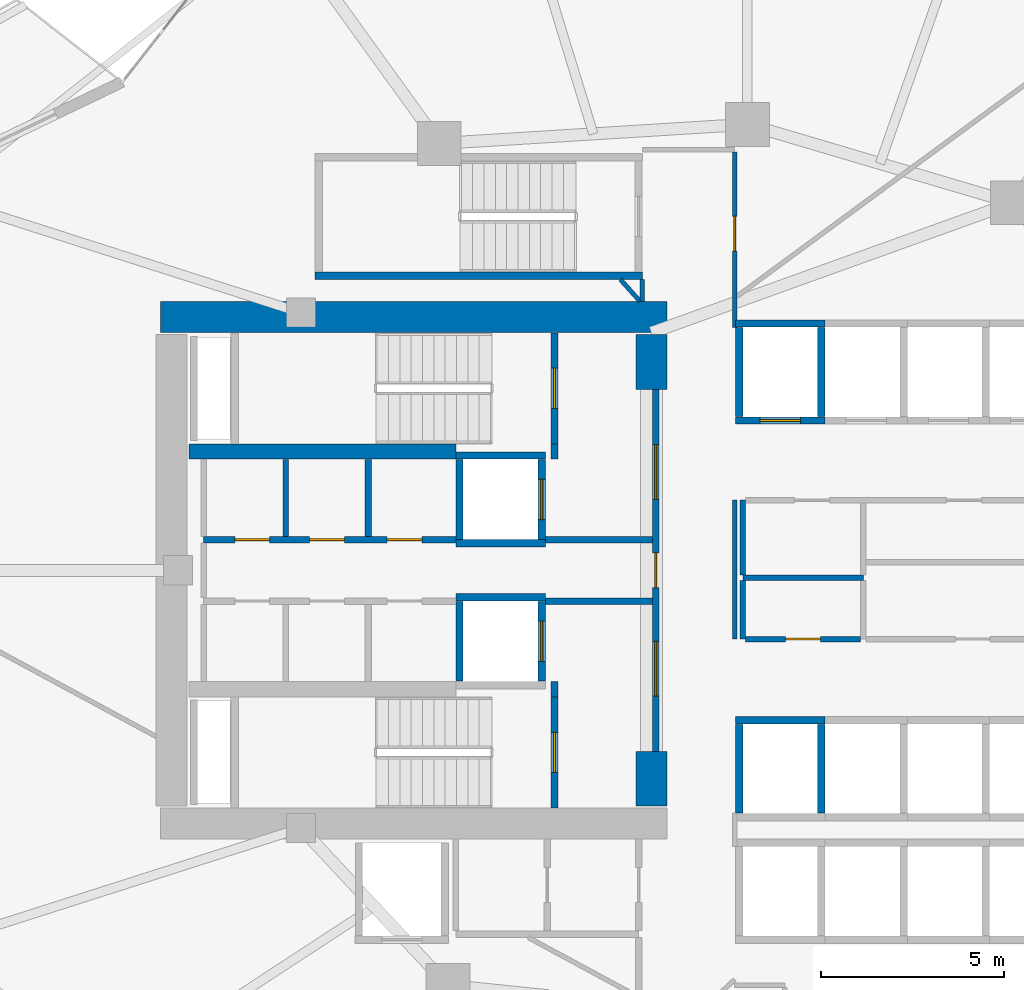
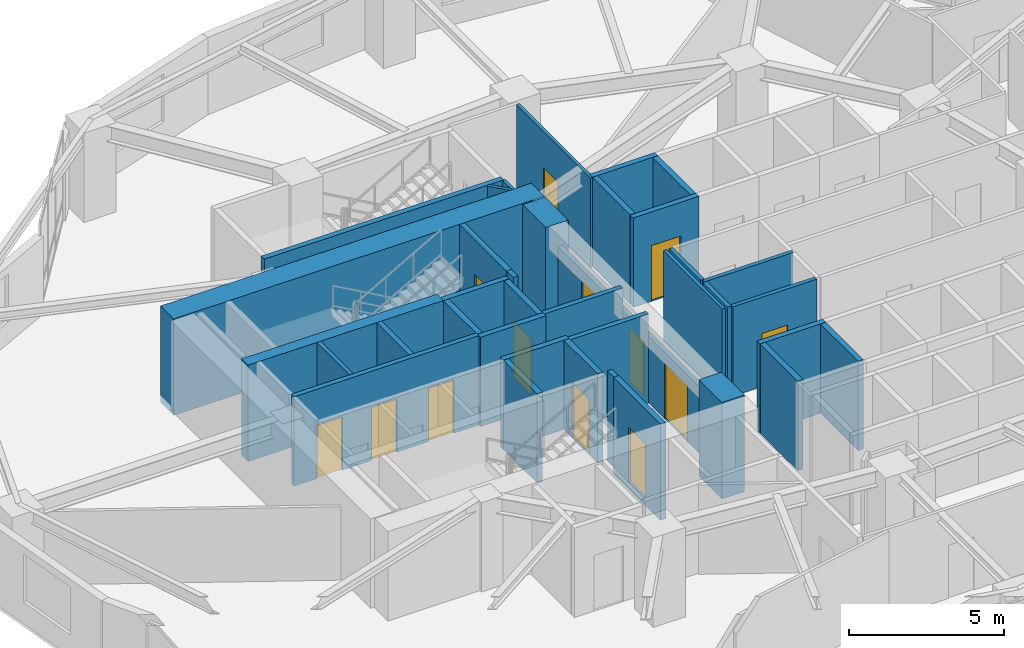
# One storey, part 6 of 12: 37 walls, 13 doors, 13 openings.
"""IFC4 building model written with IfcOpenShell, lengths in metres."""

from ifc_helpers import new_model, si_unit, direction, frame, frame_2d, origin, place, context, subcontext, project, spatial, rectangle, extrude, material, layer, layer_set, type_object, element, fill, save


model = new_model("IFC4")

# Units and contexts
model_context = context("Model", 3, precision=1e-05, world=origin(), true_north=direction((0.0, 1.0)))
body_context = subcontext(model_context, "Body", "Model", "MODEL_VIEW")
ifc_project = project(units=[si_unit("LENGTHUNIT", "METRE"), si_unit("AREAUNIT", "SQUARE_METRE"), si_unit("VOLUMEUNIT", "CUBIC_METRE"), si_unit("PLANEANGLEUNIT", "RADIAN"), si_unit("MASSUNIT", "GRAM", prefix="KILO")], contexts=[model_context])

# Site, building, storey
site_placement = place(None, origin())
site = spatial("IfcSite", under=ifc_project, at=site_placement, CompositionType="ELEMENT")
building_placement = place(site_placement, origin())
building = spatial("IfcBuilding", under=site, at=building_placement, Name="Kolvaren Gate Tower and Convention Centre", CompositionType="ELEMENT")
storey_placement = place(building_placement, frame((0.0, 0.0, 91.949951171875)))
storey = spatial("IfcBuildingStorey", under=building, at=storey_placement, Name="L22", CompositionType="ELEMENT", Elevation=91.949951171875)

# Walls
ifc_material_1 = material(Name="Autoclaved Aerated Masonry Blockwork Class 4 (4.0 MPa)", Category="masonry")
ifc_layer_1 = layer(ifc_material_1, 0.179931640625)
ifc_layer_set_1 = layer_set([ifc_layer_1], Name="Autoclaved Aerated Masonry Blockwork Class 4 (4.0 MPa)")
wall_type_1 = type_object("IfcWallType", Name="ARCH-WL-COMP-180", PredefinedType="SOLIDWALL", material=ifc_layer_set_1)
for number, where, z_axis, x_axis, name in (
    (1, (24.85009765625, 23.5400390625, 0.0), (0.0, 0.0, 1.0), (0.0, 1.0, 0.0), "Interior Partition WL-L22-INT-001"),
    (2, (24.85009765625, 30.0400390625, 0.0), (0.0, 0.0, 1.0), (0.0, 1.0, 0.0), "Interior Partition WL-L22-INT-002"),
):
    element("IfcWall", number, at=place(storey_placement, frame(where, z_axis=z_axis, x_axis=x_axis)), inside=storey, type_object=wall_type_1, Name=name, PredefinedType="SOLIDWALL", context=body_context, shape_type="SweptSolid", body=[
        extrude(rectangle(XDim=0.419921875, YDim=0.179931640625, at=frame_2d((0.2099609375, 0.0))), origin(), (0.0, 0.0, 1.0), 3.530029296875),
    ])

# Wall, openings, doors
wall_1_placement = place(storey_placement, frame((27.6201171875, 22.050048828125, 0.0), z_axis=(0.0, 0.0, 1.0), x_axis=(0.0, 1.0, 0.0)))
wall_1 = element("IfcWall", 3, at=wall_1_placement, inside=storey, type_object=wall_type_1, Name="Interior Partition WL-L22-INT-003", PredefinedType="SOLIDWALL", context=body_context, shape_type="SweptSolid", body=[
    extrude(rectangle(XDim=9.89990234375, YDim=0.179931640625, at=frame_2d((4.949951171875, 0.0))), origin(), (0.0, 0.0, 1.0), 2.6220703125),
])
opening_1_placement = place(wall_1_placement, frame((4.47509765625, 0.0, 0.0)))
opening_1 = element("IfcOpeningElement", 4, at=opening_1_placement, cuts=wall_1, Name="Opening DR-01", PredefinedType="OPENING", context=body_context, shape_type="SweptSolid", body=[
    extrude(rectangle(XDim=0.949951171875, YDim=2.10009765625, at=frame_2d((0.47509765625, 1.050048828125))), frame((0.0, 0.099853515625, 0.0), z_axis=(0.0, -1.0, 0.0), x_axis=(1.0, 0.0, 0.0)), (0.0, 0.0, 1.0), 0.199951171875),
])
opening_2_placement = place(wall_1_placement, frame((6.889892578125, 0.0, 0.0)))
opening_2 = element("IfcOpeningElement", 5, at=opening_2_placement, cuts=wall_1, Name="Opening DL-01", PredefinedType="OPENING", context=body_context, shape_type="SweptSolid", body=[
    extrude(rectangle(XDim=1.5, YDim=2.199951171875, at=frame_2d((0.75, 1.10009765625))), frame((0.0, 0.099853515625, 0.0), z_axis=(0.0, -1.0, 0.0), x_axis=(1.0, 0.0, 0.0)), (0.0, 0.0, 1.0), 0.199951171875),
])
opening_3_placement = place(wall_1_placement, frame((1.510009765625, 0.0, 0.0)))
opening_3 = element("IfcOpeningElement", 6, at=opening_3_placement, cuts=wall_1, Name="Opening DL-01", PredefinedType="OPENING", context=body_context, shape_type="SweptSolid", body=[
    extrude(rectangle(XDim=1.5, YDim=2.199951171875, at=frame_2d((0.75, 1.10009765625))), frame((0.0, 0.099853515625, 0.0), z_axis=(0.0, -1.0, 0.0), x_axis=(1.0, 0.0, 0.0)), (0.0, 0.0, 1.0), 0.199951171875),
])
ifc_material_2 = material(Name="Painted Architectural Steelwork ASTM A500 Grade C 345 MPa", Category="steel")
door_type_1 = type_object("IfcDoorType", Name="ARCH-DR-LOBBY-1500", OperationType="DOUBLE_DOOR_SINGLE_SWING", PredefinedType="DOOR", material=ifc_material_2)
door_1_placement = place(opening_2_placement, origin())
door_1 = element("IfcDoor", 7, at=door_1_placement, inside=storey, type_object=door_type_1, Name="North Firefighting Stair and Lift Lobby Door", OperationType="DOUBLE_DOOR_SINGLE_SWING", OverallHeight=2.199951171875, OverallWidth=1.5, PredefinedType="DOOR", context=body_context, shape_type="SweptSolid", body=[
    extrude(rectangle(XDim=1.5, YDim=2.199951171875, at=frame_2d((0.75, 1.10009765625))), frame((0.0, 0.02490234375, 0.0), z_axis=(0.0, -1.0, 0.0), x_axis=(1.0, 0.0, 0.0)), (0.0, 0.0, 1.0), 0.050048828125),
])
fill(opening_2, door_1)
door_2_placement = place(opening_3_placement, origin())
door_2 = element("IfcDoor", 8, at=door_2_placement, inside=storey, type_object=door_type_1, Name="South Firefighting Stair and Lift Lobby Door", OperationType="DOUBLE_DOOR_SINGLE_SWING", OverallHeight=2.199951171875, OverallWidth=1.5, PredefinedType="DOOR", context=body_context, shape_type="SweptSolid", body=[
    extrude(rectangle(XDim=1.5, YDim=2.199951171875, at=frame_2d((0.75, 1.10009765625))), frame((0.0, 0.02490234375, 0.0), z_axis=(0.0, -1.0, 0.0), x_axis=(1.0, 0.0, 0.0)), (0.0, 0.0, 1.0), 0.050048828125),
])
fill(opening_3, door_2)
door_type_2 = type_object("IfcDoorType", Name="ARCH-DR-RISER-950", OperationType="SINGLE_SWING_RIGHT", PredefinedType="DOOR", material=ifc_material_2)
door_3_placement = place(opening_1_placement, origin())
door_3 = element("IfcDoor", 9, at=door_3_placement, inside=storey, type_object=door_type_2, Name="Central MEP Service Corridor Door", OperationType="SINGLE_SWING_RIGHT", OverallHeight=2.10009765625, OverallWidth=0.949951171875, PredefinedType="DOOR", context=body_context, shape_type="SweptSolid", body=[
    extrude(rectangle(XDim=0.949951171875, YDim=2.10009765625, at=frame_2d((0.47509765625, 1.050048828125))), frame((0.0, 0.02490234375, 0.0), z_axis=(0.0, -1.0, 0.0), x_axis=(1.0, 0.0, 0.0)), (0.0, 0.0, 1.0), 0.050048828125),
])
fill(opening_1, door_3)

wall_2_placement = place(storey_placement, frame((15.25, 27.840087890625, 0.0), z_axis=(0.0, 0.0, 1.0), x_axis=(1.0, 0.0, 0.0)))
wall_2 = element("IfcWall", 10, at=wall_2_placement, inside=storey, type_object=wall_type_1, Name="Interior Partition WL-L22-INT-004", PredefinedType="SOLIDWALL", context=body_context, shape_type="SweptSolid", body=[
    extrude(rectangle(XDim=6.89990234375, YDim=0.179931640625, at=frame_2d((3.449951171875, 0.0))), origin(), (0.0, 0.0, 1.0), 3.530029296875),
])
opening_4_placement = place(wall_2_placement, frame((5.02001953125, 0.0, 0.0)))
opening_4 = element("IfcOpeningElement", 11, at=opening_4_placement, cuts=wall_2, Name="Opening DR-01", PredefinedType="OPENING", context=body_context, shape_type="SweptSolid", body=[
    extrude(rectangle(XDim=0.949951171875, YDim=2.10009765625, at=frame_2d((0.47509765625, 1.050048828125))), frame((0.0, 0.099853515625, 0.0), z_axis=(0.0, -1.0, 0.0), x_axis=(1.0, 0.0, 0.0)), (0.0, 0.0, 1.0), 0.199951171875),
])
opening_5_placement = place(wall_2_placement, frame((0.85498046875, 0.0, 0.0)))
opening_5 = element("IfcOpeningElement", 12, at=opening_5_placement, cuts=wall_2, Name="Opening DR-01", PredefinedType="OPENING", context=body_context, shape_type="SweptSolid", body=[
    extrude(rectangle(XDim=0.949951171875, YDim=2.10009765625, at=frame_2d((0.47509765625, 1.050048828125))), frame((0.0, 0.099853515625, 0.0), z_axis=(0.0, -1.0, 0.0), x_axis=(1.0, 0.0, 0.0)), (0.0, 0.0, 1.0), 0.199951171875),
])
opening_6_placement = place(wall_2_placement, frame((2.89990234375, 0.0, 0.0)))
opening_6 = element("IfcOpeningElement", 13, at=opening_6_placement, cuts=wall_2, Name="Opening DR-01", PredefinedType="OPENING", context=body_context, shape_type="SweptSolid", body=[
    extrude(rectangle(XDim=0.949951171875, YDim=2.10009765625, at=frame_2d((0.47509765625, 1.050048828125))), frame((0.0, 0.099853515625, 0.0), z_axis=(0.0, -1.0, 0.0), x_axis=(1.0, 0.0, 0.0)), (0.0, 0.0, 1.0), 0.199951171875),
])
door_4_placement = place(opening_4_placement, origin())
door_4 = element("IfcDoor", 14, at=door_4_placement, inside=storey, type_object=door_type_2, Name="Electrical Switchgear Closet Door", OperationType="SINGLE_SWING_LEFT", OverallHeight=2.10009765625, OverallWidth=0.949951171875, PredefinedType="DOOR", context=body_context, shape_type="SweptSolid", body=[
    extrude(rectangle(XDim=0.949951171875, YDim=2.10009765625, at=frame_2d((0.47509765625, 1.050048828125))), frame((0.0, 0.02490234375, 0.0), z_axis=(0.0, -1.0, 0.0), x_axis=(1.0, 0.0, 0.0)), (0.0, 0.0, 1.0), 0.050048828125),
])
fill(opening_4, door_4)
door_5_placement = place(opening_5_placement, origin())
door_5 = element("IfcDoor", 15, at=door_5_placement, inside=storey, type_object=door_type_2, Name="Staff Accessible WC Door", OperationType="SINGLE_SWING_LEFT", OverallHeight=2.10009765625, OverallWidth=0.949951171875, PredefinedType="DOOR", context=body_context, shape_type="SweptSolid", body=[
    extrude(rectangle(XDim=0.949951171875, YDim=2.10009765625, at=frame_2d((0.47509765625, 1.050048828125))), frame((0.0, 0.02490234375, 0.0), z_axis=(0.0, -1.0, 0.0), x_axis=(1.0, 0.0, 0.0)), (0.0, 0.0, 1.0), 0.050048828125),
])
fill(opening_5, door_5)
door_6_placement = place(opening_6_placement, origin())
door_6 = element("IfcDoor", 16, at=door_6_placement, inside=storey, type_object=door_type_2, Name="Housekeeping Sink Closet Door", OperationType="SINGLE_SWING_RIGHT", OverallHeight=2.10009765625, OverallWidth=0.949951171875, PredefinedType="DOOR", context=body_context, shape_type="SweptSolid", body=[
    extrude(rectangle(XDim=0.949951171875, YDim=2.10009765625, at=frame_2d((0.47509765625, 1.050048828125))), frame((0.0, 0.02490234375, 0.0), z_axis=(0.0, -1.0, 0.0), x_axis=(1.0, 0.0, 0.0)), (0.0, 0.0, 1.0), 0.050048828125),
])
fill(opening_6, door_6)

# Walls
for number, where, z_axis, x_axis, name in (
    (17, (24.60009765625, 27.840087890625, 0.0), (0.0, 0.0, 1.0), (1.0, 0.0, 0.0), "Interior Partition WL-L22-INT-004 (2)"),
    (18, (24.60009765625, 26.159912109375, 0.0), (0.0, 0.0, 1.0), (1.0, 0.0, 0.0), "Interior Partition WL-L22-INT-005 (2)"),
):
    element("IfcWall", number, at=place(storey_placement, frame(where, z_axis=z_axis, x_axis=x_axis)), inside=storey, type_object=wall_type_1, Name=name, PredefinedType="SOLIDWALL", context=body_context, shape_type="SweptSolid", body=[
        extrude(rectangle(XDim=2.927978515625, YDim=0.179931640625, at=frame_2d((1.4638671875, 0.0))), origin(), (0.0, 0.0, 1.0), 3.530029296875),
    ])
wall_3_placement = place(storey_placement, frame((19.75, 27.931884765625, 0.0), z_axis=(0.0, 0.0, 1.0), x_axis=(0.0, 1.0, 0.0)))
element("IfcWall", 19, at=wall_3_placement, inside=storey, type_object=wall_type_1, Name="Interior Partition WL-L22-INT-008", PredefinedType="SOLIDWALL", context=body_context, shape_type="SweptSolid", body=[
    extrude(rectangle(XDim=2.106201171875, YDim=0.179931640625, at=frame_2d((1.05322265625, 0.0))), origin(), (0.0, 0.0, 1.0), 3.530029296875),
])
ifc_material_3 = material(Name="Fire-Rated Acoustic Gypsum Stud Partition", Category="gypsum")
ifc_layer_2 = layer(ifc_material_3, 0.1201171875)
ifc_layer_set_2 = layer_set([ifc_layer_2], Name="Fire-Rated Acoustic Gypsum Stud Partition")
wall_type_2 = type_object("IfcWallType", Name="ARCH-WL-PART-120", PredefinedType="PARTITIONING", material=ifc_layer_set_2)
wall_4_placement = place(storey_placement, frame((27.25, 34.35205078125, 0.0), z_axis=(0.0, 0.0, 1.0), x_axis=(0.0, 1.0, 0.0)))
element("IfcWall", 20, at=wall_4_placement, inside=storey, type_object=wall_type_2, Name="Interior Partition WL-L22-INT-026", PredefinedType="PARTITIONING", context=body_context, shape_type="SweptSolid", body=[
    extrude(rectangle(XDim=0.60595703125, YDim=0.1201171875, at=frame_2d((0.302978515625, 0.0))), origin(), (0.0, 0.0, 1.0), 3.530029296875),
])
wall_5_placement = place(storey_placement, frame((29.780029296875, 25.1201171875, 0.0), z_axis=(0.0, 0.0, 1.0), x_axis=(0.0, 1.0, 0.0)))
element("IfcWall", 21, at=wall_5_placement, inside=storey, type_object=wall_type_2, Name="Interior Partition WL-L22-INT-029", PredefinedType="PARTITIONING", context=body_context, shape_type="SweptSolid", body=[
    extrude(rectangle(XDim=3.7998046875, YDim=0.1201171875, at=frame_2d((1.89990234375, 0.0))), origin(), (0.0, 0.0, 1.0), 3.530029296875),
])

# Wall, opening, door
wall_6_placement = place(storey_placement, frame((29.780029296875, 33.639892578125, 0.0), z_axis=(0.0, 0.0, 1.0), x_axis=(0.0, 1.0, 0.0)))
wall_6 = element("IfcWall", 22, at=wall_6_placement, inside=storey, type_object=wall_type_2, Name="Interior Partition WL-L22-INT-030", PredefinedType="PARTITIONING", context=body_context, shape_type="SweptSolid", body=[
    extrude(rectangle(XDim=4.798095703125, YDim=0.1201171875, at=frame_2d((2.39892578125, 0.0))), origin(), (0.0, 0.0, 1.0), 3.530029296875),
])
opening_7_placement = place(wall_6_placement, frame((2.094482421875, 0.0, 0.0)))
opening_7 = element("IfcOpeningElement", 23, at=opening_7_placement, cuts=wall_6, Name="Opening DR-01", PredefinedType="OPENING", context=body_context, shape_type="SweptSolid", body=[
    extrude(rectangle(XDim=0.949951171875, YDim=2.10009765625, at=frame_2d((0.47509765625, 1.050048828125))), frame((0.0, 0.070068359375, 0.0), z_axis=(0.0, -1.0, 0.0), x_axis=(1.0, 0.0, 0.0)), (0.0, 0.0, 1.0), 0.14013671875),
])
door_7_placement = place(opening_7_placement, origin())
door_7 = element("IfcDoor", 24, at=door_7_placement, inside=storey, type_object=door_type_2, Name="Conference and Training Seminar Room Door", OperationType="SINGLE_SWING_LEFT", OverallHeight=2.10009765625, OverallWidth=0.949951171875, PredefinedType="DOOR", context=body_context, shape_type="SweptSolid", body=[
    extrude(rectangle(XDim=0.949951171875, YDim=2.10009765625, at=frame_2d((0.47509765625, 1.050048828125))), frame((0.0, 0.02490234375, 0.0), z_axis=(0.0, -1.0, 0.0), x_axis=(1.0, 0.0, 0.0)), (0.0, 0.0, 1.0), 0.050048828125),
])
fill(opening_7, door_7)

# Walls
wall_7_placement = place(storey_placement, frame((26.65087890625, 34.9580078125, 0.0), z_axis=(0.0, 0.0, 1.0), x_axis=(0.668729584791, -0.743505711091, 0.0)))
element("IfcWall", 25, at=wall_7_placement, inside=storey, type_object=wall_type_2, Name="Interior Partition WL-L22-INT-062", PredefinedType="PARTITIONING", context=body_context, shape_type="SweptSolid", body=[
    extrude(rectangle(XDim=0.80322265625, YDim=0.1201171875, at=frame_2d((0.401611328125, 0.0))), origin(), (0.0, 0.0, 1.0), 3.530029296875),
])
ifc_layer_3 = layer(ifc_material_1, 0.199951171875)
ifc_layer_set_3 = layer_set([ifc_layer_3], Name="Autoclaved Aerated Masonry Blockwork Class 4 (4.0 MPa)")
wall_type_3 = type_object("IfcWallType", Name="ARCH-WL-SHAFT-200", PredefinedType="SOLIDWALL", material=ifc_layer_set_3)
for number, where, z_axis, x_axis, name in (
    (26, (22.14990234375, 30.139892578125, 0.0), (0.0, 0.0, 1.0), (1.0, 0.0, 0.0), "Elevator FF-01 L22 Fire Shaft Wall N"),
    (27, (22.14990234375, 27.739990234375, 0.0), (0.0, 0.0, 1.0), (1.0, 0.0, 0.0), "Elevator FF-01 L22 Fire Shaft Wall S"),
):
    element("IfcWall", number, at=place(storey_placement, frame(where, z_axis=z_axis, x_axis=x_axis)), inside=storey, type_object=wall_type_3, Name=name, PredefinedType="SOLIDWALL", context=body_context, shape_type="SweptSolid", body=[
        extrude(rectangle(XDim=2.4501953125, YDim=0.199951171875, at=frame_2d((1.22509765625, 0.0))), origin(), (0.0, 0.0, 1.0), 3.530029296875),
    ])
wall_8_placement = place(storey_placement, frame((22.25, 27.85009765625, 0.0), z_axis=(0.0, 0.0, 1.0), x_axis=(0.0, 1.0, 0.0)))
element("IfcWall", 28, at=wall_8_placement, inside=storey, type_object=wall_type_3, Name="Elevator FF-01 L22 Fire Shaft Wall W", PredefinedType="SOLIDWALL", context=body_context, shape_type="SweptSolid", body=[
    extrude(rectangle(XDim=2.179931640625, YDim=0.199951171875, at=frame_2d((1.08984375, 0.0))), origin(), (0.0, 0.0, 1.0), 3.530029296875),
])

# Wall, opening, door
wall_9_placement = place(storey_placement, frame((24.5, 27.85009765625, 0.0), z_axis=(0.0, 0.0, 1.0), x_axis=(0.0, 1.0, 0.0)))
wall_9 = element("IfcWall", 29, at=wall_9_placement, inside=storey, type_object=wall_type_3, Name="Elevator FF-01 L22 Fire Shaft Wall E", PredefinedType="SOLIDWALL", context=body_context, shape_type="SweptSolid", body=[
    extrude(rectangle(XDim=2.179931640625, YDim=0.199951171875, at=frame_2d((1.08984375, 0.0))), origin(), (0.0, 0.0, 1.0), 3.530029296875),
])
opening_8_placement = place(wall_9_placement, frame((0.5400390625, 0.0, 0.0)))
opening_8 = element("IfcOpeningElement", 30, at=opening_8_placement, cuts=wall_9, Name="Opening LD", PredefinedType="OPENING", context=body_context, shape_type="SweptSolid", body=[
    extrude(rectangle(XDim=1.10009765625, YDim=2.199951171875, at=frame_2d((0.550048828125, 1.10009765625))), frame((0.0, 0.10986328125, 0.0), z_axis=(0.0, -1.0, 0.0), x_axis=(1.0, 0.0, 0.0)), (0.0, 0.0, 1.0), 0.219970703125),
])
ifc_material_4 = material(Name="Brushed Stainless Steel Grade 316L", Category="steel")
door_type_3 = type_object("IfcDoorType", Name="ARCH-DR-LIFT-1100", OperationType="SLIDING_TO_LEFT", PredefinedType="DOOR", material=ifc_material_4)
door_8_placement = place(opening_8_placement, origin())
door_8 = element("IfcDoor", 31, at=door_8_placement, inside=storey, type_object=door_type_3, Name="Elevator FF-01 L22 Sliding Landing Door", OperationType="SLIDING_TO_LEFT", OverallHeight=2.199951171875, OverallWidth=1.10009765625, PredefinedType="DOOR", context=body_context, shape_type="SweptSolid", body=[
    extrude(rectangle(XDim=1.10009765625, YDim=2.199951171875, at=frame_2d((0.550048828125, 1.10009765625))), frame((0.0, 0.02490234375, 0.0), z_axis=(0.0, -1.0, 0.0), x_axis=(1.0, 0.0, 0.0)), (0.0, 0.0, 1.0), 0.050048828125),
])
fill(opening_8, door_8)

# Walls
wall_10_placement = place(storey_placement, frame((22.14990234375, 26.260009765625, 0.0), z_axis=(0.0, 0.0, 1.0), x_axis=(1.0, 0.0, 0.0)))
element("IfcWall", 32, at=wall_10_placement, inside=storey, type_object=wall_type_3, Name="Elevator FF-02 L22 Fire Shaft Wall N", PredefinedType="SOLIDWALL", context=body_context, shape_type="SweptSolid", body=[
    extrude(rectangle(XDim=2.4501953125, YDim=0.199951171875, at=frame_2d((1.22509765625, 0.0))), origin(), (0.0, 0.0, 1.0), 3.530029296875),
])
wall_11_placement = place(storey_placement, frame((22.25, 23.969970703125, 0.0), z_axis=(0.0, 0.0, 1.0), x_axis=(0.0, 1.0, 0.0)))
element("IfcWall", 33, at=wall_11_placement, inside=storey, type_object=wall_type_3, Name="Elevator FF-02 L22 Fire Shaft Wall W", PredefinedType="SOLIDWALL", context=body_context, shape_type="SweptSolid", body=[
    extrude(rectangle(XDim=2.179931640625, YDim=0.199951171875, at=frame_2d((1.08984375, 0.0))), origin(), (0.0, 0.0, 1.0), 3.530029296875),
])

# Wall, opening, door
wall_12_placement = place(storey_placement, frame((24.5, 23.969970703125, 0.0), z_axis=(0.0, 0.0, 1.0), x_axis=(0.0, 1.0, 0.0)))
wall_12 = element("IfcWall", 34, at=wall_12_placement, inside=storey, type_object=wall_type_3, Name="Elevator FF-02 L22 Fire Shaft Wall E", PredefinedType="SOLIDWALL", context=body_context, shape_type="SweptSolid", body=[
    extrude(rectangle(XDim=2.179931640625, YDim=0.199951171875, at=frame_2d((1.08984375, 0.0))), origin(), (0.0, 0.0, 1.0), 3.530029296875),
])
opening_9_placement = place(wall_12_placement, frame((0.5400390625, 0.0, 0.0)))
opening_9 = element("IfcOpeningElement", 35, at=opening_9_placement, cuts=wall_12, Name="Opening LD", PredefinedType="OPENING", context=body_context, shape_type="SweptSolid", body=[
    extrude(rectangle(XDim=1.10009765625, YDim=2.199951171875, at=frame_2d((0.550048828125, 1.10009765625))), frame((0.0, 0.10986328125, 0.0), z_axis=(0.0, -1.0, 0.0), x_axis=(1.0, 0.0, 0.0)), (0.0, 0.0, 1.0), 0.219970703125),
])
door_9_placement = place(opening_9_placement, origin())
door_9 = element("IfcDoor", 36, at=door_9_placement, inside=storey, type_object=door_type_3, Name="Elevator FF-02 L22 Sliding Landing Door", OperationType="SLIDING_TO_LEFT", OverallHeight=2.199951171875, OverallWidth=1.10009765625, PredefinedType="DOOR", context=body_context, shape_type="SweptSolid", body=[
    extrude(rectangle(XDim=1.10009765625, YDim=2.199951171875, at=frame_2d((0.550048828125, 1.10009765625))), frame((0.0, 0.02490234375, 0.0), z_axis=(0.0, -1.0, 0.0), x_axis=(1.0, 0.0, 0.0)), (0.0, 0.0, 1.0), 0.050048828125),
])
fill(opening_9, door_9)

# Wall
wall_13_placement = place(storey_placement, frame((29.800048828125, 33.75, 0.0), z_axis=(0.0, 0.0, 1.0), x_axis=(1.0, 0.0, 0.0)))
element("IfcWall", 37, at=wall_13_placement, inside=storey, type_object=wall_type_3, Name="Elevator PL-01 L22 Fire Shaft Wall N", PredefinedType="SOLIDWALL", context=body_context, shape_type="SweptSolid", body=[
    extrude(rectangle(XDim=2.449951171875, YDim=0.199951171875, at=frame_2d((1.22509765625, 0.0))), origin(), (0.0, 0.0, 1.0), 3.530029296875),
])

# Wall, opening, door
wall_14_placement = place(storey_placement, frame((29.800048828125, 31.10009765625, 0.0), z_axis=(0.0, 0.0, 1.0), x_axis=(1.0, 0.0, 0.0)))
wall_14 = element("IfcWall", 38, at=wall_14_placement, inside=storey, type_object=wall_type_3, Name="Elevator PL-01 L22 Fire Shaft Wall S", PredefinedType="SOLIDWALL", context=body_context, shape_type="SweptSolid", body=[
    extrude(rectangle(XDim=2.449951171875, YDim=0.199951171875, at=frame_2d((1.22509765625, 0.0))), origin(), (0.0, 0.0, 1.0), 3.530029296875),
])
opening_10_placement = place(wall_14_placement, frame((0.675048828125, 0.0, 0.0)))
opening_10 = element("IfcOpeningElement", 39, at=opening_10_placement, cuts=wall_14, Name="Opening LD", PredefinedType="OPENING", context=body_context, shape_type="SweptSolid", body=[
    extrude(rectangle(XDim=1.10009765625, YDim=2.199951171875, at=frame_2d((0.550048828125, 1.10009765625))), frame((0.0, 0.10986328125, 0.0), z_axis=(0.0, -1.0, 0.0), x_axis=(1.0, 0.0, 0.0)), (0.0, 0.0, 1.0), 0.219970703125),
])
door_10_placement = place(opening_10_placement, origin())
door_10 = element("IfcDoor", 40, at=door_10_placement, inside=storey, type_object=door_type_3, Name="Elevator PL-01 L22 Sliding Landing Door", OperationType="SLIDING_TO_LEFT", OverallHeight=2.199951171875, OverallWidth=1.10009765625, PredefinedType="DOOR", context=body_context, shape_type="SweptSolid", body=[
    extrude(rectangle(XDim=1.10009765625, YDim=2.199951171875, at=frame_2d((0.550048828125, 1.10009765625))), frame((0.0, 0.02490234375, 0.0), z_axis=(0.0, -1.0, 0.0), x_axis=(1.0, 0.0, 0.0)), (0.0, 0.0, 1.0), 0.050048828125),
])
fill(opening_10, door_10)

# Walls
for number, where, z_axis, x_axis, name in (
    (41, (29.89990234375, 31.2099609375, 0.0), (0.0, 0.0, 1.0), (0.0, 1.0, 0.0), "Elevator PL-01 L22 Fire Shaft Wall W"),
    (42, (32.14990234375, 31.2099609375, 0.0), (0.0, 0.0, 1.0), (0.0, 1.0, 0.0), "Elevator PL-01 L22 Fire Shaft Wall E"),
):
    element("IfcWall", number, at=place(storey_placement, frame(where, z_axis=z_axis, x_axis=x_axis)), inside=storey, type_object=wall_type_3, Name=name, PredefinedType="SOLIDWALL", context=body_context, shape_type="SweptSolid", body=[
        extrude(rectangle(XDim=2.429931640625, YDim=0.199951171875, at=frame_2d((1.21484375, 0.0))), origin(), (0.0, 0.0, 1.0), 3.530029296875),
    ])
wall_15_placement = place(storey_placement, frame((29.800048828125, 22.89990234375, 0.0), z_axis=(0.0, 0.0, 1.0), x_axis=(1.0, 0.0, 0.0)))
element("IfcWall", 43, at=wall_15_placement, inside=storey, type_object=wall_type_3, Name="Elevator PL-09 L22 Fire Shaft Wall N", PredefinedType="SOLIDWALL", context=body_context, shape_type="SweptSolid", body=[
    extrude(rectangle(XDim=2.449951171875, YDim=0.199951171875, at=frame_2d((1.22509765625, 0.0))), origin(), (0.0, 0.0, 1.0), 3.530029296875),
])
for number, where, z_axis, x_axis, name in (
    (44, (29.89990234375, 20.360107421875, 0.0), (0.0, 0.0, 1.0), (0.0, 1.0, 0.0), "Elevator PL-09 L22 Fire Shaft Wall W"),
    (45, (32.14990234375, 20.360107421875, 0.0), (0.0, 0.0, 1.0), (0.0, 1.0, 0.0), "Elevator PL-09 L22 Fire Shaft Wall E"),
):
    element("IfcWall", number, at=place(storey_placement, frame(where, z_axis=z_axis, x_axis=x_axis)), inside=storey, type_object=wall_type_3, Name=name, PredefinedType="SOLIDWALL", context=body_context, shape_type="SweptSolid", body=[
        extrude(rectangle(XDim=2.429931640625, YDim=0.199951171875, at=frame_2d((1.21484375, 0.0))), origin(), (0.0, 0.0, 1.0), 3.530029296875),
    ])
ifc_material_5 = material(Name="Moisture-Resistant Cement-Board Acoustic Partition", Category="gypsum")
ifc_layer_4 = layer(ifc_material_5, 0.14990234375)
ifc_layer_set_4 = layer_set([ifc_layer_4], Name="Moisture-Resistant Cement-Board Acoustic Partition")
wall_type_4 = type_object("IfcWallType", Name="ARCH-WL-WET-150", PredefinedType="PARTITIONING", material=ifc_layer_set_4)
wall_16_placement = place(storey_placement, frame((17.5, 27.931884765625, 0.0), z_axis=(0.0, 0.0, 1.0), x_axis=(0.0, 1.0, 0.0)))
element("IfcWall", 46, at=wall_16_placement, inside=storey, type_object=wall_type_4, Name="Interior Partition WL-L22-INT-010", PredefinedType="PARTITIONING", context=body_context, shape_type="SweptSolid", body=[
    extrude(rectangle(XDim=2.106201171875, YDim=0.14990234375, at=frame_2d((1.05322265625, 0.0))), origin(), (0.0, 0.0, 1.0), 3.530029296875),
])
wall_17_placement = place(storey_placement, frame((30.0, 26.800048828125, 0.0), z_axis=(0.0, 0.0, 1.0), x_axis=(1.0, 0.0, 0.0)))
element("IfcWall", 47, at=wall_17_placement, inside=storey, type_object=wall_type_4, Name="Interior Partition WL-L22-INT-015", PredefinedType="PARTITIONING", context=body_context, shape_type="SweptSolid", body=[
    extrude(rectangle(XDim=3.300048828125, YDim=0.14990234375, at=frame_2d((1.64990234375, 0.0))), origin(), (0.0, 0.0, 1.0), 3.530029296875),
])
wall_18_placement = place(storey_placement, frame((30.0, 25.1201171875, 0.0), z_axis=(0.0, 0.0, 1.0), x_axis=(0.0, 1.0, 0.0)))
element("IfcWall", 48, at=wall_18_placement, inside=storey, type_object=wall_type_4, Name="Interior Partition WL-L22-INT-016", PredefinedType="PARTITIONING", context=body_context, shape_type="SweptSolid", body=[
    extrude(rectangle(XDim=1.602783203125, YDim=0.14990234375, at=frame_2d((0.80126953125, 0.0))), origin(), (0.0, 0.0, 1.0), 3.530029296875),
])
wall_19_placement = place(storey_placement, frame((30.0, 26.876953125, 0.0), z_axis=(0.0, 0.0, 1.0), x_axis=(0.0, 1.0, 0.0)))
element("IfcWall", 49, at=wall_19_placement, inside=storey, type_object=wall_type_4, Name="Interior Partition WL-L22-INT-016 (2)", PredefinedType="PARTITIONING", context=body_context, shape_type="SweptSolid", body=[
    extrude(rectangle(XDim=2.04296875, YDim=0.14990234375, at=frame_2d((1.021484375, 0.0))), origin(), (0.0, 0.0, 1.0), 3.530029296875),
])

# Wall, opening, door
wall_20_placement = place(storey_placement, frame((30.076904296875, 25.1201171875, 0.0), z_axis=(0.0, 0.0, 1.0), x_axis=(1.0, 0.0, 0.0)))
wall_20 = element("IfcWall", 50, at=wall_20_placement, inside=storey, type_object=wall_type_4, Name="Interior Partition WL-L22-INT-019", PredefinedType="PARTITIONING", context=body_context, shape_type="SweptSolid", body=[
    extrude(rectangle(XDim=3.14599609375, YDim=0.14990234375, at=frame_2d((1.572998046875, 0.0))), origin(), (0.0, 0.0, 1.0), 3.530029296875),
])
opening_11_placement = place(wall_20_placement, frame((1.097900390625, 0.0, 0.0)))
opening_11 = element("IfcOpeningElement", 51, at=opening_11_placement, cuts=wall_20, Name="Opening DR-01", PredefinedType="OPENING", context=body_context, shape_type="SweptSolid", body=[
    extrude(rectangle(XDim=0.949951171875, YDim=2.10009765625, at=frame_2d((0.47509765625, 1.050048828125))), frame((0.0, 0.0849609375, 0.0), z_axis=(0.0, -1.0, 0.0), x_axis=(1.0, 0.0, 0.0)), (0.0, 0.0, 1.0), 0.169921875),
])
door_11_placement = place(opening_11_placement, origin())
door_11 = element("IfcDoor", 52, at=door_11_placement, inside=storey, type_object=door_type_2, Name="South Visitor Washroom Door", OperationType="SINGLE_SWING_LEFT", OverallHeight=2.10009765625, OverallWidth=0.949951171875, PredefinedType="DOOR", context=body_context, shape_type="SweptSolid", body=[
    extrude(rectangle(XDim=0.949951171875, YDim=2.10009765625, at=frame_2d((0.47509765625, 1.050048828125))), frame((0.0, 0.02490234375, 0.0), z_axis=(0.0, -1.0, 0.0), x_axis=(1.0, 0.0, 0.0)), (0.0, 0.0, 1.0), 0.050048828125),
])
fill(opening_11, door_11)

# Walls
ifc_material_6 = material(Name="Concrete C50/60", Category="concrete")
ifc_layer_5 = layer(ifc_material_6, 0.419921875)
ifc_layer_set_5 = layer_set([ifc_layer_5], Name="Concrete C50/60")
wall_type_5 = type_object("IfcWallType", Name="STR-WL-CONV-420", PredefinedType="SHEAR", material=ifc_layer_set_5)
wall_21_placement = place(storey_placement, frame((14.85009765625, 30.25, -0.280029296875), z_axis=(0.0, 0.0, 1.0), x_axis=(1.0, 0.0, 0.0)))
element("IfcWall", 53, at=wall_21_placement, inside=storey, type_object=wall_type_5, Name="Tower L22 Offset Core Shear Wall WN", PredefinedType="SHEAR", context=body_context, shape_type="SweptSolid", body=[
    extrude(rectangle(XDim=7.2998046875, YDim=0.419921875, at=frame_2d((3.64990234375, 0.0))), origin(), (0.0, 0.0, 1.0), 3.81005859375),
])
ifc_material_7 = material(Name="Concrete C70/85", Category="concrete")
ifc_layer_6 = layer(ifc_material_7, 0.85009765625)
ifc_layer_set_6 = layer_set([ifc_layer_6], Name="Concrete C70/85")
wall_type_6 = type_object("IfcWallType", Name="STR-WL-CORE-850", PredefinedType="SHEAR", material=ifc_layer_set_6)
wall_22_placement = place(storey_placement, frame((14.074951171875, 33.925048828125, -0.280029296875), z_axis=(0.0, 0.0, 1.0), x_axis=(1.0, 0.0, 0.0)))
element("IfcWall", 54, at=wall_22_placement, inside=storey, type_object=wall_type_6, Name="Tower L22 Offset Core Shear Wall N", PredefinedType="SHEAR", context=body_context, shape_type="SweptSolid", body=[
    extrude(rectangle(XDim=13.85009765625, YDim=0.85009765625, at=frame_2d((6.925048828125, 0.0))), origin(), (0.0, 0.0, 1.0), 3.81005859375),
])
for number, where, z_axis, x_axis, name in (
    (55, (27.5, 31.949951171875, -0.280029296875), (0.0, 0.0, 1.0), (0.0, 1.0, 0.0), "Tower L22 Offset Core Shear Wall EN"),
    (56, (27.5, 20.550048828125, -0.280029296875), (0.0, 0.0, 1.0), (0.0, 1.0, 0.0), "Tower L22 Offset Core Shear Wall ES"),
):
    element("IfcWall", number, at=place(storey_placement, frame(where, z_axis=z_axis, x_axis=x_axis)), inside=storey, type_object=wall_type_6, Name=name, PredefinedType="SHEAR", context=body_context, shape_type="SweptSolid", body=[
        extrude(rectangle(XDim=1.5, YDim=0.85009765625, at=frame_2d((0.75, 0.0))), origin(), (0.0, 0.0, 1.0), 3.81005859375),
    ])

# Wall, opening, door
ifc_layer_7 = layer(ifc_material_6, 0.199951171875)
ifc_layer_set_7 = layer_set([ifc_layer_7], Name="Concrete C50/60")
wall_type_7 = type_object("IfcWallType", Name="STR-WL-SHAFT-200", PredefinedType="SHEAR", material=ifc_layer_set_7)
wall_23_placement = place(storey_placement, frame((24.85009765625, 30.4599609375, -0.280029296875), z_axis=(0.0, 0.0, 1.0), x_axis=(0.0, 1.0, 0.0)))
wall_23 = element("IfcWall", 57, at=wall_23_placement, inside=storey, type_object=wall_type_7, Name="Tower North Exit Stair ST-T1 L22 Structural Shear Enclosure Wall NEAR", PredefinedType="SHEAR", context=body_context, shape_type="SweptSolid", body=[
    extrude(rectangle(XDim=3.0380859375, YDim=0.199951171875, at=frame_2d((1.51904296875, 0.0))), origin(), (0.0, 0.0, 1.0), 3.81005859375),
])
opening_12_placement = place(wall_23_placement, frame((0.968994140625, 0.0, 0.280029296875)))
opening_12 = element("IfcOpeningElement", 58, at=opening_12_placement, cuts=wall_23, Name="Opening DS-01", PredefinedType="OPENING", context=body_context, shape_type="SweptSolid", body=[
    extrude(rectangle(XDim=1.10009765625, YDim=2.14990234375, at=frame_2d((0.550048828125, 1.074951171875))), frame((0.0, 0.10986328125, 0.0), z_axis=(0.0, -1.0, 0.0), x_axis=(1.0, 0.0, 0.0)), (0.0, 0.0, 1.0), 0.219970703125),
])
door_type_4 = type_object("IfcDoorType", Name="ARCH-DR-STAIR-1100", OperationType="SINGLE_SWING_LEFT", PredefinedType="DOOR", material=ifc_material_2)
door_12_placement = place(opening_12_placement, origin())
door_12 = element("IfcDoor", 59, at=door_12_placement, inside=storey, type_object=door_type_4, Name="Tower North Exit Stair ST-T1 L22 Fire Exit Stair Door", OperationType="SINGLE_SWING_RIGHT", OverallHeight=2.14990234375, OverallWidth=1.10009765625, PredefinedType="DOOR", context=body_context, shape_type="SweptSolid", body=[
    extrude(rectangle(XDim=1.10009765625, YDim=2.14990234375, at=frame_2d((0.550048828125, 1.074951171875))), frame((0.0, 0.02490234375, 0.0), z_axis=(0.0, -1.0, 0.0), x_axis=(1.0, 0.0, 0.0)), (0.0, 0.0, 1.0), 0.050048828125),
])
fill(opening_12, door_12)

wall_24_placement = place(storey_placement, frame((24.85009765625, 20.501953125, -0.280029296875), z_axis=(0.0, 0.0, 1.0), x_axis=(0.0, 1.0, 0.0)))
wall_24 = element("IfcWall", 60, at=wall_24_placement, inside=storey, type_object=wall_type_7, Name="Tower South Exit Stair ST-T2 L22 Structural Shear Enclosure Wall NEAR", PredefinedType="SHEAR", context=body_context, shape_type="SweptSolid", body=[
    extrude(rectangle(XDim=3.0380859375, YDim=0.199951171875, at=frame_2d((1.51904296875, 0.0))), origin(), (0.0, 0.0, 1.0), 3.81005859375),
])
opening_13_placement = place(wall_24_placement, frame((0.968994140625, 0.0, 0.280029296875)))
opening_13 = element("IfcOpeningElement", 61, at=opening_13_placement, cuts=wall_24, Name="Opening DS-01", PredefinedType="OPENING", context=body_context, shape_type="SweptSolid", body=[
    extrude(rectangle(XDim=1.10009765625, YDim=2.14990234375, at=frame_2d((0.550048828125, 1.074951171875))), frame((0.0, 0.10986328125, 0.0), z_axis=(0.0, -1.0, 0.0), x_axis=(1.0, 0.0, 0.0)), (0.0, 0.0, 1.0), 0.219970703125),
])
door_13_placement = place(opening_13_placement, origin())
door_13 = element("IfcDoor", 62, at=door_13_placement, inside=storey, type_object=door_type_4, Name="Tower South Exit Stair ST-T2 L22 Fire Exit Stair Door", OperationType="SINGLE_SWING_RIGHT", OverallHeight=2.14990234375, OverallWidth=1.10009765625, PredefinedType="DOOR", context=body_context, shape_type="SweptSolid", body=[
    extrude(rectangle(XDim=1.10009765625, YDim=2.14990234375, at=frame_2d((0.550048828125, 1.074951171875))), frame((0.0, 0.02490234375, 0.0), z_axis=(0.0, -1.0, 0.0), x_axis=(1.0, 0.0, 0.0)), (0.0, 0.0, 1.0), 0.050048828125),
])
fill(opening_13, door_13)

# Wall
wall_25_placement = place(storey_placement, frame((18.300048828125, 35.06005859375, -0.280029296875), z_axis=(0.0, 0.0, 1.0), x_axis=(1.0, 0.0, 0.0)))
element("IfcWall", 63, at=wall_25_placement, inside=storey, type_object=wall_type_7, Name="Tower Mid-Zone Exit Stair ST-T3 L22 Structural Shear Enclosure Wall RGHT", PredefinedType="SHEAR", context=body_context, shape_type="SweptSolid", body=[
    extrude(rectangle(XDim=8.949951171875, YDim=0.199951171875, at=frame_2d((4.47509765625, 0.0))), origin(), (0.0, 0.0, 1.0), 3.81005859375),
])

save(model, "model.ifc")
